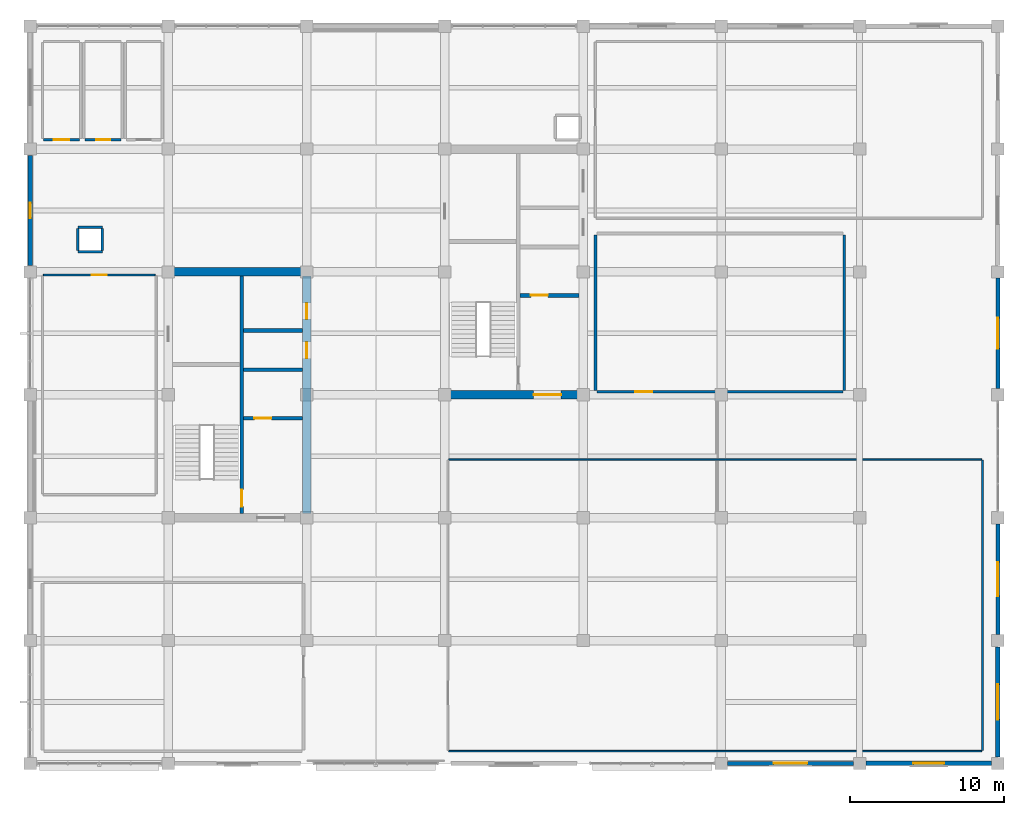
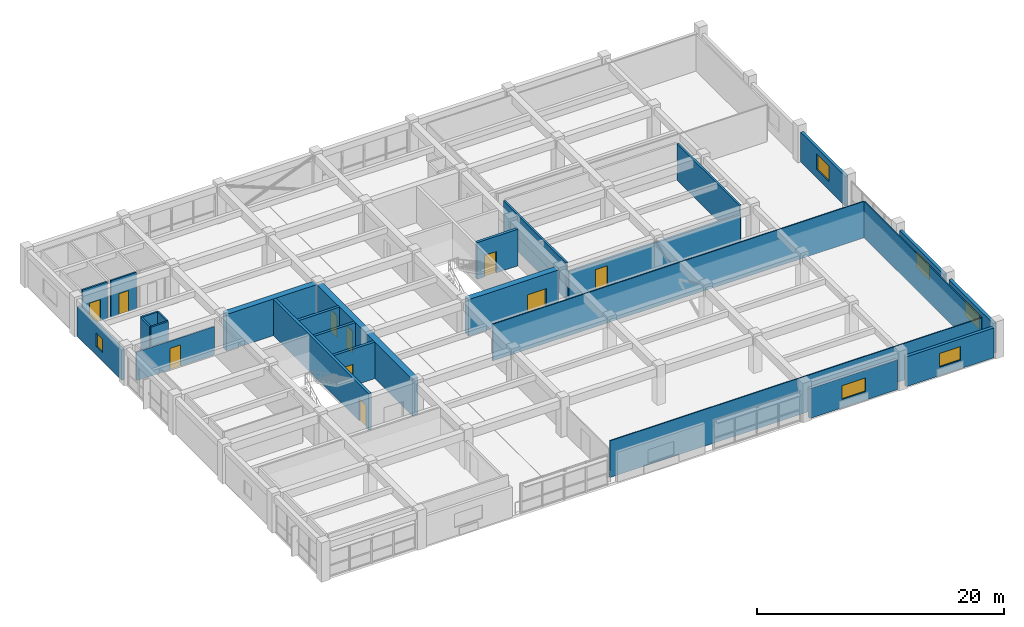
# One storey, part 13 of 16: 27 walls, 10 doors, 6 windows, 16 openings.
"""IFC4 building model written with IfcOpenShell, lengths in metres."""

from ifc_helpers import new_model, si_unit, direction, frame, frame_2d, origin, place, context, subcontext, project, spatial, rectangle, extrude, material, layer, layer_set, type_object, element, fill, save


model = new_model("IFC4")

# Units and contexts
model_context = context("Model", 3, precision=1e-05, world=origin(), true_north=direction((0.0, 1.0)))
body_context = subcontext(model_context, "Body", "Model", "MODEL_VIEW")
ifc_project = project(units=[si_unit("LENGTHUNIT", "METRE"), si_unit("AREAUNIT", "SQUARE_METRE"), si_unit("VOLUMEUNIT", "CUBIC_METRE"), si_unit("PLANEANGLEUNIT", "RADIAN"), si_unit("MASSUNIT", "GRAM", prefix="KILO")], contexts=[model_context])

# Site, building, storey
site_placement = place(None, origin())
site = spatial("IfcSite", under=ifc_project, at=site_placement, CompositionType="ELEMENT")
building_placement = place(site_placement, origin())
building = spatial("IfcBuilding", under=site, at=building_placement, Name="Zaverband Oceanarium and Marine Research Institute", CompositionType="ELEMENT")
storey_placement = place(building_placement, frame((0.0, 0.0, 41.39990234375)))
storey = spatial("IfcBuildingStorey", under=building, at=storey_placement, Name="L10", CompositionType="ELEMENT", Elevation=41.39990234375)

# Wall
ifc_material_1 = material(Name="Concrete C50/60", Category="concrete")
ifc_layer_1 = layer(ifc_material_1, 0.550048828125, Name="Concrete C50/60")
ifc_layer_set_1 = layer_set([ifc_layer_1], Name="Concrete C50/60")
wall_type_1 = type_object("IfcWallType", Name="CW-01", PredefinedType="SHEAR", material=ifc_layer_set_1)
wall_1_placement = place(storey_placement, frame((18.27490234375, 96.0, 0.0), z_axis=(0.0, 0.0, 1.0), x_axis=(1.0, 0.0, 0.0)))
element("IfcWall", 1, at=wall_1_placement, inside=storey, type_object=wall_type_1, Name="Structural shear wall CW-01", PredefinedType="SHEAR", context=body_context, shape_type="SweptSolid", body=[
    extrude(rectangle(XDim=8.4501953125, YDim=0.550048828125, at=frame_2d((4.22509765625, 0.0))), origin(), (0.0, 0.0, 1.0), 3.6201171875),
])

# Wall, openings, doors
wall_2_placement = place(storey_placement, frame((27.0, 80.27490234375, 0.0), z_axis=(0.0, 0.0, 1.0), x_axis=(0.0, 1.0, 0.0)))
wall_2 = element("IfcWall", 2, at=wall_2_placement, inside=storey, type_object=wall_type_1, Name="Structural shear wall CW-01", PredefinedType="SHEAR", context=body_context, shape_type="SweptSolid", body=[
    extrude(rectangle(XDim=15.4501953125, YDim=0.550048828125, at=frame_2d((7.72509765625, 0.0))), origin(), (0.0, 0.0, 1.0), 3.6201171875),
])
opening_1_placement = place(wall_2_placement, frame((10.10009765625, 0.0, 0.0)))
opening_1 = element("IfcOpeningElement", 3, at=opening_1_placement, cuts=wall_2, Name="Opening LD-02", PredefinedType="OPENING", context=body_context, shape_type="SweptSolid", body=[
    extrude(rectangle(XDim=1.050048828125, YDim=2.1201171875, at=frame_2d((0.52490234375, 1.06005859375))), frame((0.0, 0.287109375, 0.0), z_axis=(0.0, -1.0, 0.0), x_axis=(1.0, 0.0, 0.0)), (0.0, 0.0, 1.0), 0.573974609375),
])
opening_2_placement = place(wall_2_placement, frame((12.64990234375, 0.0, 0.0)))
opening_2 = element("IfcOpeningElement", 4, at=opening_2_placement, cuts=wall_2, Name="Opening LD-02", PredefinedType="OPENING", context=body_context, shape_type="SweptSolid", body=[
    extrude(rectangle(XDim=1.050048828125, YDim=2.1201171875, at=frame_2d((0.52490234375, 1.06005859375))), frame((0.0, 0.287109375, 0.0), z_axis=(0.0, -1.0, 0.0), x_axis=(1.0, 0.0, 0.0)), (0.0, 0.0, 1.0), 0.573974609375),
])
ifc_material_2 = material(Name="Steel S355", Category="steel")
door_type_1 = type_object("IfcDoorType", Name="LD-02", OperationType="DOUBLE_DOOR_SLIDING", PredefinedType="DOOR", material=ifc_material_2)
door_1_placement = place(opening_1_placement, origin())
door_1 = element("IfcDoor", 5, at=door_1_placement, inside=storey, type_object=door_type_1, Name="Passenger lift sliding landing door LD-02", OperationType="DOUBLE_DOOR_SLIDING", OverallHeight=2.1201171875, OverallWidth=1.050048828125, PredefinedType="DOOR", context=body_context, shape_type="SweptSolid", body=[
    extrude(rectangle(XDim=1.050048828125, YDim=2.1201171875, at=frame_2d((0.52490234375, 1.06005859375))), frame((0.0, 0.02490234375, 0.0), z_axis=(0.0, -1.0, 0.0), x_axis=(1.0, 0.0, 0.0)), (0.0, 0.0, 1.0), 0.050048828125),
])
fill(opening_1, door_1)
door_2_placement = place(opening_2_placement, origin())
door_2 = element("IfcDoor", 6, at=door_2_placement, inside=storey, type_object=door_type_1, Name="Passenger lift sliding landing door LD-02", OperationType="DOUBLE_DOOR_SLIDING", OverallHeight=2.1201171875, OverallWidth=1.050048828125, PredefinedType="DOOR", context=body_context, shape_type="SweptSolid", body=[
    extrude(rectangle(XDim=1.050048828125, YDim=2.1201171875, at=frame_2d((0.52490234375, 1.06005859375))), frame((0.0, 0.02490234375, 0.0), z_axis=(0.0, -1.0, 0.0), x_axis=(1.0, 0.0, 0.0)), (0.0, 0.0, 1.0), 0.050048828125),
])
fill(opening_2, door_2)

# Wall, opening, door
wall_3_placement = place(storey_placement, frame((36.27490234375, 88.0, 0.0), z_axis=(0.0, 0.0, 1.0), x_axis=(1.0, 0.0, 0.0)))
wall_3 = element("IfcWall", 7, at=wall_3_placement, inside=storey, type_object=wall_type_1, Name="Structural shear wall CW-01", PredefinedType="SHEAR", context=body_context, shape_type="SweptSolid", body=[
    extrude(rectangle(XDim=8.4501953125, YDim=0.550048828125, at=frame_2d((4.22509765625, 0.0))), origin(), (0.0, 0.0, 1.0), 3.6201171875),
])
opening_3_placement = place(wall_3_placement, frame((5.5, 0.0, 0.0)))
opening_3 = element("IfcOpeningElement", 8, at=opening_3_placement, cuts=wall_3, Name="Opening FD-02", PredefinedType="OPENING", context=body_context, shape_type="SweptSolid", body=[
    extrude(rectangle(XDim=1.800048828125, YDim=2.179931640625, at=frame_2d((0.89990234375, 1.08984375))), frame((0.0, 0.287109375, 0.0), z_axis=(0.0, -1.0, 0.0), x_axis=(1.0, 0.0, 0.0)), (0.0, 0.0, 1.0), 0.573974609375),
])
door_type_2 = type_object("IfcDoorType", Name="FD-02", OperationType="DOUBLE_DOOR_SINGLE_SWING", PredefinedType="DOOR", material=ifc_material_2)
door_3_placement = place(opening_3_placement, origin())
door_3 = element("IfcDoor", 9, at=door_3_placement, inside=storey, type_object=door_type_2, Name="Protected lobby double fire door FD-02", OperationType="DOUBLE_DOOR_SINGLE_SWING", OverallHeight=2.179931640625, OverallWidth=1.800048828125, PredefinedType="DOOR", context=body_context, shape_type="SweptSolid", body=[
    extrude(rectangle(XDim=1.800048828125, YDim=2.179931640625, at=frame_2d((0.89990234375, 1.08984375))), frame((0.0, 0.02490234375, 0.0), z_axis=(0.0, -1.0, 0.0), x_axis=(1.0, 0.0, 0.0)), (0.0, 0.0, 1.0), 0.050048828125),
])
fill(opening_3, door_3)

# Wall, opening, window
ifc_material_3 = material(Name="Concrete C40/50 precast", Category="concrete")
ifc_layer_2 = layer(ifc_material_3, 0.264892578125, Name="Concrete C40/50 precast")
ifc_layer_set_2 = layer_set([ifc_layer_2], Name="Concrete C40/50 precast")
wall_type_2 = type_object("IfcWallType", Name="EW-265", PredefinedType="STANDARD", material=ifc_layer_set_2)
wall_4_placement = place(storey_placement, frame((54.405029296875, 64.0, 0.0), z_axis=(0.0, 0.0, 1.0), x_axis=(1.0, 0.0, 0.0)))
wall_4 = element("IfcWall", 10, at=wall_4_placement, inside=storey, type_object=wall_type_2, Name="Exterior infill wall EW-265", PredefinedType="STANDARD", context=body_context, shape_type="SweptSolid", body=[
    extrude(rectangle(XDim=8.18994140625, YDim=0.264892578125, at=frame_2d((4.094970703125, 0.0))), origin(), (0.0, 0.0, 1.0), 2.9501953125),
])
opening_4_placement = place(wall_4_placement, frame((2.9951171875, 0.0, 0.85009765625)))
opening_4 = element("IfcOpeningElement", 11, at=opening_4_placement, cuts=wall_4, Name="Opening WN-2200x1350", PredefinedType="OPENING", context=body_context, shape_type="SweptSolid", body=[
    extrude(rectangle(XDim=2.199951171875, YDim=1.35009765625, at=frame_2d((1.10009765625, 0.675048828125))), frame((0.0, 0.14453125, 0.0), z_axis=(0.0, -1.0, 0.0), x_axis=(1.0, 0.0, 0.0)), (0.0, 0.0, 1.0), 0.288818359375),
])
ifc_material_4 = material(Name="Thermally broken anodized aluminium and solar-control glass", Category="aluminium")
window_type_1 = type_object("IfcWindowType", Name="WN-2200x1350", PartitioningType="SINGLE_PANEL", PredefinedType="WINDOW", material=ifc_material_4)
window_1_placement = place(opening_4_placement, origin())
window_1 = element("IfcWindow", 12, at=window_1_placement, inside=storey, type_object=window_type_1, Name="Fixed / casement exterior window WN-2200x1350", OverallHeight=1.35009765625, OverallWidth=2.199951171875, PartitioningType="SINGLE_PANEL", PredefinedType="WINDOW", context=body_context, shape_type="SweptSolid", body=[
    extrude(rectangle(XDim=2.199951171875, YDim=1.35009765625, at=frame_2d((1.10009765625, 0.675048828125))), frame((0.0, 0.030029296875, 0.0), z_axis=(0.0, -1.0, 0.0), x_axis=(1.0, 0.0, 0.0)), (0.0, 0.0, 1.0), 0.06005859375),
])
fill(opening_4, window_1)

wall_5_placement = place(storey_placement, frame((72.0, 72.405029296875, 0.0), z_axis=(0.0, 0.0, 1.0), x_axis=(0.0, 1.0, 0.0)))
wall_5 = element("IfcWall", 13, at=wall_5_placement, inside=storey, type_object=wall_type_2, Name="Exterior infill wall EW-265", PredefinedType="STANDARD", context=body_context, shape_type="SweptSolid", body=[
    extrude(rectangle(XDim=7.18994140625, YDim=0.264892578125, at=frame_2d((3.594970703125, 0.0))), origin(), (0.0, 0.0, 1.0), 2.9501953125),
])
opening_5_placement = place(wall_5_placement, frame((2.4951171875, 0.0, 0.85009765625)))
opening_5 = element("IfcOpeningElement", 14, at=opening_5_placement, cuts=wall_5, Name="Opening WN-2200x1500", PredefinedType="OPENING", context=body_context, shape_type="SweptSolid", body=[
    extrude(rectangle(XDim=2.199951171875, YDim=1.5, at=frame_2d((1.10009765625, 0.75))), frame((0.0, 0.14453125, 0.0), z_axis=(0.0, -1.0, 0.0), x_axis=(1.0, 0.0, 0.0)), (0.0, 0.0, 1.0), 0.288818359375),
])
window_type_2 = type_object("IfcWindowType", Name="WN-2200x1500", PartitioningType="SINGLE_PANEL", PredefinedType="WINDOW", material=ifc_material_4)
window_2_placement = place(opening_5_placement, origin())
window_2 = element("IfcWindow", 15, at=window_2_placement, inside=storey, type_object=window_type_2, Name="Fixed / casement exterior window WN-2200x1500", OverallHeight=1.5, OverallWidth=2.199951171875, PartitioningType="SINGLE_PANEL", PredefinedType="WINDOW", context=body_context, shape_type="SweptSolid", body=[
    extrude(rectangle(XDim=2.199951171875, YDim=1.5, at=frame_2d((1.10009765625, 0.75))), frame((0.0, 0.030029296875, 0.0), z_axis=(0.0, -1.0, 0.0), x_axis=(1.0, 0.0, 0.0)), (0.0, 0.0, 1.0), 0.06005859375),
])
fill(opening_5, window_2)

wall_6_placement = place(storey_placement, frame((72.0, 88.405029296875, 0.0), z_axis=(0.0, 0.0, 1.0), x_axis=(0.0, 1.0, 0.0)))
wall_6 = element("IfcWall", 16, at=wall_6_placement, inside=storey, type_object=wall_type_2, Name="Exterior infill wall EW-265", PredefinedType="STANDARD", context=body_context, shape_type="SweptSolid", body=[
    extrude(rectangle(XDim=7.18994140625, YDim=0.264892578125, at=frame_2d((3.594970703125, 0.0))), origin(), (0.0, 0.0, 1.0), 2.9501953125),
])
opening_6_placement = place(wall_6_placement, frame((2.594970703125, 0.0, 0.85009765625)))
opening_6 = element("IfcOpeningElement", 17, at=opening_6_placement, cuts=wall_6, Name="Opening WN-2000x1500", PredefinedType="OPENING", context=body_context, shape_type="SweptSolid", body=[
    extrude(rectangle(XDim=2.0, YDim=1.5, at=frame_2d((1.0, 0.75))), frame((0.0, 0.14453125, 0.0), z_axis=(0.0, -1.0, 0.0), x_axis=(1.0, 0.0, 0.0)), (0.0, 0.0, 1.0), 0.288818359375),
])
window_type_3 = type_object("IfcWindowType", Name="WN-2000x1500", PartitioningType="SINGLE_PANEL", PredefinedType="WINDOW", material=ifc_material_4)
window_3_placement = place(opening_6_placement, origin())
window_3 = element("IfcWindow", 18, at=window_3_placement, inside=storey, type_object=window_type_3, Name="Fixed / casement exterior window WN-2000x1500", OverallHeight=1.5, OverallWidth=2.0, PartitioningType="SINGLE_PANEL", PredefinedType="WINDOW", context=body_context, shape_type="SweptSolid", body=[
    extrude(rectangle(XDim=2.0, YDim=1.5, at=frame_2d((1.0, 0.75))), frame((0.0, 0.030029296875, 0.0), z_axis=(0.0, -1.0, 0.0), x_axis=(1.0, 0.0, 0.0)), (0.0, 0.0, 1.0), 0.06005859375),
])
fill(opening_6, window_3)

ifc_layer_3 = layer(ifc_material_3, 0.2900390625, Name="Concrete C40/50 precast")
ifc_layer_set_3 = layer_set([ifc_layer_3], Name="Concrete C40/50 precast")
wall_type_3 = type_object("IfcWallType", Name="EW-290", PredefinedType="STANDARD", material=ifc_layer_set_3)
wall_7_placement = place(storey_placement, frame((63.405029296875, 64.0, 0.0), z_axis=(0.0, 0.0, 1.0), x_axis=(1.0, 0.0, 0.0)))
wall_7 = element("IfcWall", 19, at=wall_7_placement, inside=storey, type_object=wall_type_3, Name="Exterior infill wall EW-290", PredefinedType="STANDARD", context=body_context, shape_type="SweptSolid", body=[
    extrude(rectangle(XDim=8.18994140625, YDim=0.2900390625, at=frame_2d((4.094970703125, 0.0))), origin(), (0.0, 0.0, 1.0), 2.9501953125),
])
opening_7_placement = place(wall_7_placement, frame((3.094970703125, 0.0, 0.85009765625)))
opening_7 = element("IfcOpeningElement", 20, at=opening_7_placement, cuts=wall_7, Name="Opening WN-2000x1350", PredefinedType="OPENING", context=body_context, shape_type="SweptSolid", body=[
    extrude(rectangle(XDim=2.0, YDim=1.35009765625, at=frame_2d((1.0, 0.675048828125))), frame((0.0, 0.156982421875, 0.0), z_axis=(0.0, -1.0, 0.0), x_axis=(1.0, 0.0, 0.0)), (0.0, 0.0, 1.0), 0.31396484375),
])
window_type_4 = type_object("IfcWindowType", Name="WN-2000x1350", PartitioningType="SINGLE_PANEL", PredefinedType="WINDOW", material=ifc_material_4)
window_4_placement = place(opening_7_placement, origin())
window_4 = element("IfcWindow", 21, at=window_4_placement, inside=storey, type_object=window_type_4, Name="Fixed / casement exterior window WN-2000x1350", OverallHeight=1.35009765625, OverallWidth=2.0, PartitioningType="SINGLE_PANEL", PredefinedType="WINDOW", context=body_context, shape_type="SweptSolid", body=[
    extrude(rectangle(XDim=2.0, YDim=1.35009765625, at=frame_2d((1.0, 0.675048828125))), frame((0.0, 0.030029296875, 0.0), z_axis=(0.0, -1.0, 0.0), x_axis=(1.0, 0.0, 0.0)), (0.0, 0.0, 1.0), 0.06005859375),
])
fill(opening_7, window_4)

wall_8_placement = place(storey_placement, frame((9.0, 96.405029296875, 0.0), z_axis=(0.0, 0.0, 1.0), x_axis=(0.0, 1.0, 0.0)))
wall_8 = element("IfcWall", 22, at=wall_8_placement, inside=storey, type_object=wall_type_3, Name="Exterior infill wall EW-290", PredefinedType="STANDARD", context=body_context, shape_type="SweptSolid", body=[
    extrude(rectangle(XDim=7.18994140625, YDim=0.2900390625, at=frame_2d((3.594970703125, 0.0))), origin(), (0.0, 0.0, 1.0), 2.9501953125),
])
opening_8_placement = place(wall_8_placement, frame((3.094970703125, 0.0, 0.85009765625)))
opening_8 = element("IfcOpeningElement", 23, at=opening_8_placement, cuts=wall_8, Name="Opening WN-1000x1350", PredefinedType="OPENING", context=body_context, shape_type="SweptSolid", body=[
    extrude(rectangle(XDim=1.0, YDim=1.35009765625, at=frame_2d((0.5, 0.675048828125))), frame((0.0, 0.156982421875, 0.0), z_axis=(0.0, -1.0, 0.0), x_axis=(1.0, 0.0, 0.0)), (0.0, 0.0, 1.0), 0.31396484375),
])
window_type_5 = type_object("IfcWindowType", Name="WN-1000x1350", PartitioningType="SINGLE_PANEL", PredefinedType="WINDOW", material=ifc_material_4)
window_5_placement = place(opening_8_placement, origin())
window_5 = element("IfcWindow", 24, at=window_5_placement, inside=storey, type_object=window_type_5, Name="Fixed / casement exterior window WN-1000x1350", OverallHeight=1.35009765625, OverallWidth=1.0, PartitioningType="SINGLE_PANEL", PredefinedType="WINDOW", context=body_context, shape_type="SweptSolid", body=[
    extrude(rectangle(XDim=1.0, YDim=1.35009765625, at=frame_2d((0.5, 0.675048828125))), frame((0.0, 0.030029296875, 0.0), z_axis=(0.0, -1.0, 0.0), x_axis=(1.0, 0.0, 0.0)), (0.0, 0.0, 1.0), 0.06005859375),
])
fill(opening_8, window_5)

wall_9_placement = place(storey_placement, frame((72.0, 64.405029296875, 0.0), z_axis=(0.0, 0.0, 1.0), x_axis=(0.0, 1.0, 0.0)))
wall_9 = element("IfcWall", 25, at=wall_9_placement, inside=storey, type_object=wall_type_3, Name="Exterior infill wall EW-290", PredefinedType="STANDARD", context=body_context, shape_type="SweptSolid", body=[
    extrude(rectangle(XDim=7.18994140625, YDim=0.2900390625, at=frame_2d((3.594970703125, 0.0))), origin(), (0.0, 0.0, 1.0), 2.9501953125),
])
opening_9_placement = place(wall_9_placement, frame((2.445068359375, 0.0, 0.85009765625)))
opening_9 = element("IfcOpeningElement", 26, at=opening_9_placement, cuts=wall_9, Name="Opening WN-2300x1500", PredefinedType="OPENING", context=body_context, shape_type="SweptSolid", body=[
    extrude(rectangle(XDim=2.300048828125, YDim=1.5, at=frame_2d((1.14990234375, 0.75))), frame((0.0, 0.156982421875, 0.0), z_axis=(0.0, -1.0, 0.0), x_axis=(1.0, 0.0, 0.0)), (0.0, 0.0, 1.0), 0.31396484375),
])
window_type_6 = type_object("IfcWindowType", Name="WN-2300x1500", PartitioningType="SINGLE_PANEL", PredefinedType="WINDOW", material=ifc_material_4)
window_6_placement = place(opening_9_placement, origin())
window_6 = element("IfcWindow", 27, at=window_6_placement, inside=storey, type_object=window_type_6, Name="Fixed / casement exterior window WN-2300x1500", OverallHeight=1.5, OverallWidth=2.300048828125, PartitioningType="SINGLE_PANEL", PredefinedType="WINDOW", context=body_context, shape_type="SweptSolid", body=[
    extrude(rectangle(XDim=2.300048828125, YDim=1.5, at=frame_2d((1.14990234375, 0.75))), frame((0.0, 0.030029296875, 0.0), z_axis=(0.0, -1.0, 0.0), x_axis=(1.0, 0.0, 0.0)), (0.0, 0.0, 1.0), 0.06005859375),
])
fill(opening_9, window_6)

# Walls
ifc_material_5 = material(Name="Framed fire-rated glass laboratory partition", Category="glass")
ifc_layer_4 = layer(ifc_material_5, 0.10009765625, Name="Framed fire-rated glass laboratory partition")
ifc_layer_set_4 = layer_set([ifc_layer_4], Name="Framed fire-rated glass laboratory partition")
wall_type_4 = type_object("IfcWallType", Name="PT-100-GL", PredefinedType="PARTITIONING", material=ifc_layer_set_4)
for number, where, z_axis, x_axis, name in (
    (28, (36.25, 64.800048828125, 0.0), (0.0, 0.0, 1.0), (1.0, 0.0, 0.0), "Internal partition PT-100-GL"),
    (29, (36.25, 83.800048828125, 0.0), (0.0, 0.0, 1.0), (1.0, 0.0, 0.0), "Internal partition PT-100-GL"),
):
    element("IfcWall", number, at=place(storey_placement, frame(where, z_axis=z_axis, x_axis=x_axis)), inside=storey, type_object=wall_type_4, Name=name, PredefinedType="PARTITIONING", context=body_context, shape_type="SweptSolid", body=[
        extrude(rectangle(XDim=34.699951171875, YDim=0.10009765625, at=frame_2d((17.35009765625, 0.0))), origin(), (0.0, 0.0, 1.0), 3.6201171875),
    ])
wall_10_placement = place(storey_placement, frame((71.0, 64.85009765625, 0.0), z_axis=(0.0, 0.0, 1.0), x_axis=(0.0, 1.0, 0.0)))
element("IfcWall", 30, at=wall_10_placement, inside=storey, type_object=wall_type_4, Name="Internal partition PT-100-GL", PredefinedType="PARTITIONING", context=body_context, shape_type="SweptSolid", body=[
    extrude(rectangle(XDim=18.89990234375, YDim=0.10009765625, at=frame_2d((9.449951171875, 0.0))), origin(), (0.0, 0.0, 1.0), 3.6201171875),
])

# Wall, opening, door
ifc_material_6 = material(Name="Insulated metal-stud office partition")
ifc_layer_5 = layer(ifc_material_6, 0.1201171875, Name="Insulated metal-stud office partition")
ifc_layer_set_5 = layer_set([ifc_layer_5], Name="Insulated metal-stud office partition")
wall_type_5 = type_object("IfcWallType", Name="PT-120-OF", PredefinedType="PARTITIONING", material=ifc_layer_set_5)
wall_11_placement = place(storey_placement, frame((9.860107421875, 95.800048828125, 0.0), z_axis=(0.0, 0.0, 1.0), x_axis=(1.0, 0.0, 0.0)))
wall_11 = element("IfcWall", 31, at=wall_11_placement, inside=storey, type_object=wall_type_5, Name="Internal partition PT-120-OF", PredefinedType="PARTITIONING", context=body_context, shape_type="SweptSolid", body=[
    extrude(rectangle(XDim=7.27978515625, YDim=0.1201171875, at=frame_2d((3.639892578125, 0.0))), origin(), (0.0, 0.0, 1.0), 2.820068359375),
])
opening_10_placement = place(wall_11_placement, frame((3.14501953125, 0.0, 0.0)))
opening_10 = element("IfcOpeningElement", 32, at=opening_10_placement, cuts=wall_11, Name="Opening ID-990x2100", PredefinedType="OPENING", context=body_context, shape_type="SweptSolid", body=[
    extrude(rectangle(XDim=0.989990234375, YDim=2.10009765625, at=frame_2d((0.4951171875, 1.050048828125))), frame((0.0, 0.072021484375, 0.0), z_axis=(0.0, -1.0, 0.0), x_axis=(1.0, 0.0, 0.0)), (0.0, 0.0, 1.0), 0.14404296875),
])
ifc_material_7 = material(Name="Hardwood-veneered acoustic timber", Category="wood")
door_type_3 = type_object("IfcDoorType", Name="ID-990x2100", OperationType="NOTDEFINED", PredefinedType="DOOR", material=ifc_material_7)
door_4_placement = place(opening_10_placement, origin())
door_4 = element("IfcDoor", 33, at=door_4_placement, inside=storey, type_object=door_type_3, Name="Senior fellow office door ID-990x2100", OperationType="SINGLE_SWING_LEFT", OverallHeight=2.10009765625, OverallWidth=0.989990234375, PredefinedType="DOOR", context=body_context, shape_type="SweptSolid", body=[
    extrude(rectangle(XDim=0.989990234375, YDim=2.10009765625, at=frame_2d((0.4951171875, 1.050048828125))), frame((0.0, 0.02490234375, 0.0), z_axis=(0.0, -1.0, 0.0), x_axis=(1.0, 0.0, 0.0)), (0.0, 0.0, 1.0), 0.050048828125),
])
fill(opening_10, door_4)

ifc_material_8 = material(Name="Ceramic-tiled wet-room blockwork", Category="masonry")
ifc_layer_6 = layer(ifc_material_8, 0.14990234375, Name="Ceramic-tiled wet-room blockwork")
ifc_layer_set_6 = layer_set([ifc_layer_6], Name="Ceramic-tiled wet-room blockwork")
wall_type_6 = type_object("IfcWallType", Name="PT-150-WC", PredefinedType="PARTITIONING", material=ifc_layer_set_6)
wall_12_placement = place(storey_placement, frame((9.875, 104.60009765625, 0.0), z_axis=(0.0, 0.0, 1.0), x_axis=(1.0, 0.0, 0.0)))
wall_12 = element("IfcWall", 34, at=wall_12_placement, inside=storey, type_object=wall_type_6, Name="Internal partition PT-150-WC", PredefinedType="PARTITIONING", context=body_context, shape_type="SweptSolid", body=[
    extrude(rectangle(XDim=2.35009765625, YDim=0.14990234375, at=frame_2d((1.175048828125, 0.0))), origin(), (0.0, 0.0, 1.0), 3.6201171875),
])
opening_11_placement = place(wall_12_placement, frame((0.6650390625, 0.0, 0.0)))
opening_11 = element("IfcOpeningElement", 35, at=opening_11_placement, cuts=wall_12, Name="Opening ID-1020x2100", PredefinedType="OPENING", context=body_context, shape_type="SweptSolid", body=[
    extrude(rectangle(XDim=1.02001953125, YDim=2.10009765625, at=frame_2d((0.510009765625, 1.050048828125))), frame((0.0, 0.0869140625, 0.0), z_axis=(0.0, -1.0, 0.0), x_axis=(1.0, 0.0, 0.0)), (0.0, 0.0, 1.0), 0.173828125),
])
door_type_4 = type_object("IfcDoorType", Name="ID-1020x2100", OperationType="NOTDEFINED", PredefinedType="DOOR", material=ifc_material_7)
door_5_placement = place(opening_11_placement, frame((1.02001953125, 0.0, 0.0), z_axis=(0.0, 0.0, 1.0), x_axis=(-1.0, 0.0, 0.0)))
door_5 = element("IfcDoor", 36, at=door_5_placement, inside=storey, type_object=door_type_4, Name="Accessible WC outward-swing door ID-1020x2100", OperationType="SINGLE_SWING_LEFT", OverallHeight=2.10009765625, OverallWidth=1.02001953125, PredefinedType="DOOR", context=body_context, shape_type="SweptSolid", body=[
    extrude(rectangle(XDim=1.02001953125, YDim=2.10009765625, at=frame_2d((0.510009765625, 1.050048828125))), frame((0.0, 0.02490234375, 0.0), z_axis=(0.0, -1.0, 0.0), x_axis=(1.0, 0.0, 0.0)), (0.0, 0.0, 1.0), 0.050048828125),
])
fill(opening_11, door_5)

wall_13_placement = place(storey_placement, frame((12.574951171875, 104.60009765625, 0.0), z_axis=(0.0, 0.0, 1.0), x_axis=(1.0, 0.0, 0.0)))
wall_13 = element("IfcWall", 37, at=wall_13_placement, inside=storey, type_object=wall_type_6, Name="Internal partition PT-150-WC", PredefinedType="PARTITIONING", context=body_context, shape_type="SweptSolid", body=[
    extrude(rectangle(XDim=2.35009765625, YDim=0.14990234375, at=frame_2d((1.175048828125, 0.0))), origin(), (0.0, 0.0, 1.0), 3.6201171875),
])
opening_12_placement = place(wall_13_placement, frame((0.719970703125, 0.0, 0.0)))
opening_12 = element("IfcOpeningElement", 38, at=opening_12_placement, cuts=wall_13, Name="Opening ID-910x2080", PredefinedType="OPENING", context=body_context, shape_type="SweptSolid", body=[
    extrude(rectangle(XDim=0.909912109375, YDim=2.080078125, at=frame_2d((0.455078125, 1.0400390625))), frame((0.0, 0.0869140625, 0.0), z_axis=(0.0, -1.0, 0.0), x_axis=(1.0, 0.0, 0.0)), (0.0, 0.0, 1.0), 0.173828125),
])
door_type_5 = type_object("IfcDoorType", Name="ID-910x2080", OperationType="NOTDEFINED", PredefinedType="DOOR", material=ifc_material_7)
door_6_placement = place(opening_12_placement, origin())
door_6 = element("IfcDoor", 39, at=door_6_placement, inside=storey, type_object=door_type_5, Name="Sanitary washroom entrance door ID-910x2080", OperationType="SINGLE_SWING_RIGHT", OverallHeight=2.080078125, OverallWidth=0.909912109375, PredefinedType="DOOR", context=body_context, shape_type="SweptSolid", body=[
    extrude(rectangle(XDim=0.909912109375, YDim=2.080078125, at=frame_2d((0.455078125, 1.0400390625))), frame((0.0, 0.02490234375, 0.0), z_axis=(0.0, -1.0, 0.0), x_axis=(1.0, 0.0, 0.0)), (0.0, 0.0, 1.0), 0.050048828125),
])
fill(opening_12, door_6)

# Walls
ifc_material_9 = material(Name="Corridor rated drywall partition")
ifc_layer_7 = layer(ifc_material_9, 0.1650390625, Name="Corridor rated drywall partition")
ifc_layer_set_7 = layer_set([ifc_layer_7], Name="Corridor rated drywall partition")
wall_type_7 = type_object("IfcWallType", Name="PT-165-CR", PredefinedType="PARTITIONING", material=ifc_layer_set_7)
for number, where, z_axis, x_axis, name in (
    (40, (12.10009765625, 97.300048828125, 0.0), (0.0, 0.0, 1.0), (1.0, 0.0, 0.0), "Internal partition PT-165-CR"),
    (41, (12.10009765625, 98.89990234375, 0.0), (0.0, 0.0, 1.0), (1.0, 0.0, 0.0), "Internal partition PT-165-CR"),
):
    element("IfcWall", number, at=place(storey_placement, frame(where, z_axis=z_axis, x_axis=x_axis)), inside=storey, type_object=wall_type_7, Name=name, PredefinedType="PARTITIONING", context=body_context, shape_type="SweptSolid", body=[
        extrude(rectangle(XDim=1.599853515625, YDim=0.1650390625, at=frame_2d((0.7998046875, 0.0))), origin(), (0.0, 0.0, 1.0), 3.6201171875),
    ])
for number, where, z_axis, x_axis, name in (
    (42, (12.10009765625, 97.3798828125, 0.0), (0.0, 0.0, 1.0), (0.0, 1.0, 0.0), "Internal partition PT-165-CR"),
    (43, (13.699951171875, 97.3798828125, 0.0), (0.0, 0.0, 1.0), (0.0, 1.0, 0.0), "Internal partition PT-165-CR"),
):
    element("IfcWall", number, at=place(storey_placement, frame(where, z_axis=z_axis, x_axis=x_axis)), inside=storey, type_object=wall_type_7, Name=name, PredefinedType="PARTITIONING", context=body_context, shape_type="SweptSolid", body=[
        extrude(rectangle(XDim=1.440185546875, YDim=0.1650390625, at=frame_2d((0.72021484375, 0.0))), origin(), (0.0, 0.0, 1.0), 3.6201171875),
    ])

# Wall, opening, door
ifc_material_10 = material(Name="Moisture-resistant laboratory blockwork", Category="masonry")
ifc_layer_8 = layer(ifc_material_10, 0.179931640625, Name="Moisture-resistant laboratory blockwork")
ifc_layer_set_8 = layer_set([ifc_layer_8], Name="Moisture-resistant laboratory blockwork")
wall_type_8 = type_object("IfcWallType", Name="PT-180-LB", PredefinedType="PARTITIONING", material=ifc_layer_set_8)
wall_14_placement = place(storey_placement, frame((45.889892578125, 88.199951171875, 0.0), z_axis=(0.0, 0.0, 1.0), x_axis=(1.0, 0.0, 0.0)))
wall_14 = element("IfcWall", 44, at=wall_14_placement, inside=storey, type_object=wall_type_8, Name="Internal partition PT-180-LB", PredefinedType="PARTITIONING", context=body_context, shape_type="SweptSolid", body=[
    extrude(rectangle(XDim=16.02001953125, YDim=0.179931640625, at=frame_2d((8.010009765625, 0.0))), origin(), (0.0, 0.0, 1.0), 2.820068359375),
])
opening_13_placement = place(wall_14_placement, frame((2.5, 0.0, 0.0)))
opening_13 = element("IfcOpeningElement", 45, at=opening_13_placement, cuts=wall_14, Name="Opening ID-1100x2120", PredefinedType="OPENING", context=body_context, shape_type="SweptSolid", body=[
    extrude(rectangle(XDim=1.10009765625, YDim=2.1201171875, at=frame_2d((0.550048828125, 1.06005859375))), frame((0.0, 0.10205078125, 0.0), z_axis=(0.0, -1.0, 0.0), x_axis=(1.0, 0.0, 0.0)), (0.0, 0.0, 1.0), 0.203857421875),
])
door_type_6 = type_object("IfcDoorType", Name="ID-1100x2120", OperationType="NOTDEFINED", PredefinedType="DOOR", material=ifc_material_7)
door_7_placement = place(opening_13_placement, origin())
door_7 = element("IfcDoor", 46, at=door_7_placement, inside=storey, type_object=door_type_6, Name="Telemetry laboratory door ID-1100x2120", OperationType="SINGLE_SWING_LEFT", OverallHeight=2.1201171875, OverallWidth=1.10009765625, PredefinedType="DOOR", context=body_context, shape_type="SweptSolid", body=[
    extrude(rectangle(XDim=1.10009765625, YDim=2.1201171875, at=frame_2d((0.550048828125, 1.06005859375))), frame((0.0, 0.02490234375, 0.0), z_axis=(0.0, -1.0, 0.0), x_axis=(1.0, 0.0, 0.0)), (0.0, 0.0, 1.0), 0.050048828125),
])
fill(opening_13, door_7)

# Walls
for number, where, z_axis, x_axis, name in (
    (47, (45.800048828125, 88.2900390625, 0.0), (0.0, 0.0, 1.0), (0.0, 1.0, 0.0), "Internal partition PT-180-LB"),
    (48, (62.0, 88.2900390625, 0.0), (0.0, 0.0, 1.0), (0.0, 1.0, 0.0), "Internal partition PT-180-LB"),
):
    element("IfcWall", number, at=place(storey_placement, frame(where, z_axis=z_axis, x_axis=x_axis)), inside=storey, type_object=wall_type_8, Name=name, PredefinedType="PARTITIONING", context=body_context, shape_type="SweptSolid", body=[
        extrude(rectangle(XDim=10.119873046875, YDim=0.179931640625, at=frame_2d((5.06005859375, 0.0))), origin(), (0.0, 0.0, 1.0), 3.6201171875),
    ])

# Wall, opening, door
ifc_layer_9 = layer(ifc_material_1, 0.25, Name="Concrete C50/60")
ifc_layer_set_9 = layer_set([ifc_layer_9], Name="Concrete C50/60")
wall_type_9 = type_object("IfcWallType", Name="PW-CORE-250", PredefinedType="SOLIDWALL", material=ifc_layer_set_9)
wall_15_placement = place(storey_placement, frame((22.77490234375, 80.27490234375, 0.0), z_axis=(0.0, 0.0, 1.0), x_axis=(0.0, 1.0, 0.0)))
wall_15 = element("IfcWall", 49, at=wall_15_placement, inside=storey, type_object=wall_type_9, Name="Structural concrete wall PW-CORE-250", PredefinedType="SOLIDWALL", context=body_context, shape_type="SweptSolid", body=[
    extrude(rectangle(XDim=15.4501953125, YDim=0.25, at=frame_2d((7.72509765625, 0.0))), origin(), (0.0, 0.0, 1.0), 3.6201171875),
])
opening_14_placement = place(wall_15_placement, frame((0.449951171875, 0.0, 0.0)))
opening_14 = element("IfcOpeningElement", 50, at=opening_14_placement, cuts=wall_15, Name="Opening FD-01", PredefinedType="OPENING", context=body_context, shape_type="SweptSolid", body=[
    extrude(rectangle(XDim=1.10009765625, YDim=2.14990234375, at=frame_2d((0.550048828125, 1.074951171875))), frame((0.0, 0.136962890625, 0.0), z_axis=(0.0, -1.0, 0.0), x_axis=(1.0, 0.0, 0.0)), (0.0, 0.0, 1.0), 0.27392578125),
])
door_type_7 = type_object("IfcDoorType", Name="FD-01", OperationType="NOTDEFINED", PredefinedType="DOOR", material=ifc_material_2)
door_8_placement = place(opening_14_placement, origin())
door_8 = element("IfcDoor", 51, at=door_8_placement, inside=storey, type_object=door_type_7, Name="Core stair / lobby fire door FD-01", OperationType="SINGLE_SWING_LEFT", OverallHeight=2.14990234375, OverallWidth=1.10009765625, PredefinedType="DOOR", context=body_context, shape_type="SweptSolid", body=[
    extrude(rectangle(XDim=1.10009765625, YDim=2.14990234375, at=frame_2d((0.550048828125, 1.074951171875))), frame((0.0, 0.02490234375, 0.0), z_axis=(0.0, -1.0, 0.0), x_axis=(1.0, 0.0, 0.0)), (0.0, 0.0, 1.0), 0.050048828125),
])
fill(opening_14, door_8)

wall_16_placement = place(storey_placement, frame((22.905029296875, 86.47509765625, 0.0), z_axis=(0.0, 0.0, 1.0), x_axis=(1.0, 0.0, 0.0)))
wall_16 = element("IfcWall", 52, at=wall_16_placement, inside=storey, type_object=wall_type_9, Name="Structural concrete wall PW-CORE-250", PredefinedType="SOLIDWALL", context=body_context, shape_type="SweptSolid", body=[
    extrude(rectangle(XDim=3.820068359375, YDim=0.25, at=frame_2d((1.91015625, 0.0))), origin(), (0.0, 0.0, 1.0), 3.6201171875),
])
opening_15_placement = place(wall_16_placement, frame((0.695068359375, 0.0, 0.0)))
opening_15 = element("IfcOpeningElement", 53, at=opening_15_placement, cuts=wall_16, Name="Opening LD-01", PredefinedType="OPENING", context=body_context, shape_type="SweptSolid", body=[
    extrude(rectangle(XDim=1.10009765625, YDim=2.1201171875, at=frame_2d((0.550048828125, 1.06005859375))), frame((0.0, 0.136962890625, 0.0), z_axis=(0.0, -1.0, 0.0), x_axis=(1.0, 0.0, 0.0)), (0.0, 0.0, 1.0), 0.27392578125),
])
door_type_8 = type_object("IfcDoorType", Name="LD-01", OperationType="DOUBLE_DOOR_SLIDING", PredefinedType="DOOR", material=ifc_material_2)
door_9_placement = place(opening_15_placement, origin())
door_9 = element("IfcDoor", 54, at=door_9_placement, inside=storey, type_object=door_type_8, Name="Firefighting lift sliding landing door LD-01", OperationType="DOUBLE_DOOR_SLIDING", OverallHeight=2.1201171875, OverallWidth=1.10009765625, PredefinedType="DOOR", context=body_context, shape_type="SweptSolid", body=[
    extrude(rectangle(XDim=1.10009765625, YDim=2.1201171875, at=frame_2d((0.550048828125, 1.06005859375))), frame((0.0, 0.02490234375, 0.0), z_axis=(0.0, -1.0, 0.0), x_axis=(1.0, 0.0, 0.0)), (0.0, 0.0, 1.0), 0.050048828125),
])
fill(opening_15, door_9)

# Walls
for number, where, z_axis, x_axis, name in (
    (55, (22.905029296875, 89.6298828125, 0.0), (0.0, 0.0, 1.0), (1.0, 0.0, 0.0), "Structural concrete wall PW-CORE-250"),
    (56, (22.905029296875, 92.179931640625, 0.0), (0.0, 0.0, 1.0), (1.0, 0.0, 0.0), "Structural concrete wall PW-CORE-250"),
):
    element("IfcWall", number, at=place(storey_placement, frame(where, z_axis=z_axis, x_axis=x_axis)), inside=storey, type_object=wall_type_9, Name=name, PredefinedType="SOLIDWALL", context=body_context, shape_type="SweptSolid", body=[
        extrude(rectangle(XDim=3.820068359375, YDim=0.25, at=frame_2d((1.91015625, 0.0))), origin(), (0.0, 0.0, 1.0), 3.6201171875),
    ])

# Wall, opening, door
wall_17_placement = place(storey_placement, frame((40.905029296875, 94.47509765625, 0.0), z_axis=(0.0, 0.0, 1.0), x_axis=(1.0, 0.0, 0.0)))
wall_17 = element("IfcWall", 57, at=wall_17_placement, inside=storey, type_object=wall_type_9, Name="Structural concrete wall PW-CORE-250", PredefinedType="SOLIDWALL", context=body_context, shape_type="SweptSolid", body=[
    extrude(rectangle(XDim=3.820068359375, YDim=0.25, at=frame_2d((1.91015625, 0.0))), origin(), (0.0, 0.0, 1.0), 3.6201171875),
])
opening_16_placement = place(wall_17_placement, frame((0.695068359375, 0.0, 0.0)))
opening_16 = element("IfcOpeningElement", 58, at=opening_16_placement, cuts=wall_17, Name="Opening LD-01", PredefinedType="OPENING", context=body_context, shape_type="SweptSolid", body=[
    extrude(rectangle(XDim=1.10009765625, YDim=2.1201171875, at=frame_2d((0.550048828125, 1.06005859375))), frame((0.0, 0.136962890625, 0.0), z_axis=(0.0, -1.0, 0.0), x_axis=(1.0, 0.0, 0.0)), (0.0, 0.0, 1.0), 0.27392578125),
])
door_10_placement = place(opening_16_placement, origin())
door_10 = element("IfcDoor", 59, at=door_10_placement, inside=storey, type_object=door_type_8, Name="Firefighting lift sliding landing door LD-01", OperationType="DOUBLE_DOOR_SLIDING", OverallHeight=2.1201171875, OverallWidth=1.10009765625, PredefinedType="DOOR", context=body_context, shape_type="SweptSolid", body=[
    extrude(rectangle(XDim=1.10009765625, YDim=2.1201171875, at=frame_2d((0.550048828125, 1.06005859375))), frame((0.0, 0.02490234375, 0.0), z_axis=(0.0, -1.0, 0.0), x_axis=(1.0, 0.0, 0.0)), (0.0, 0.0, 1.0), 0.050048828125),
])
fill(opening_16, door_10)

save(model, "model.ifc")
